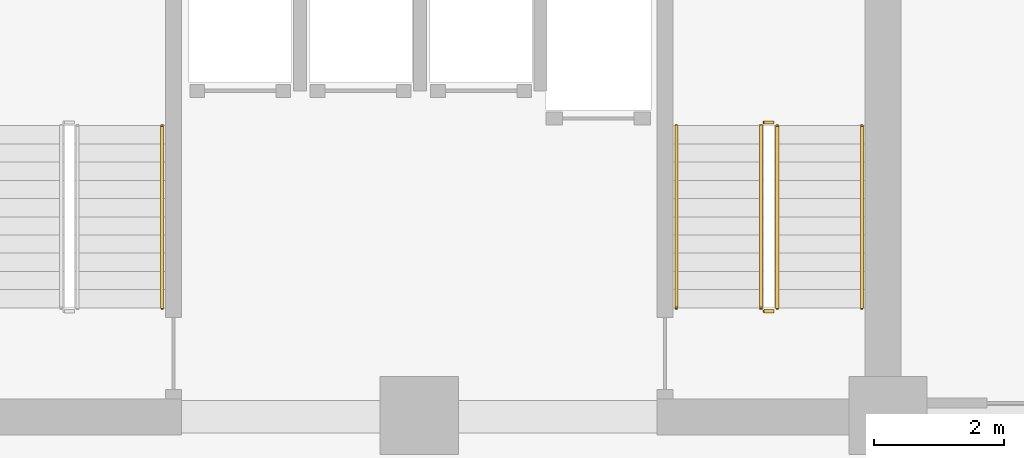
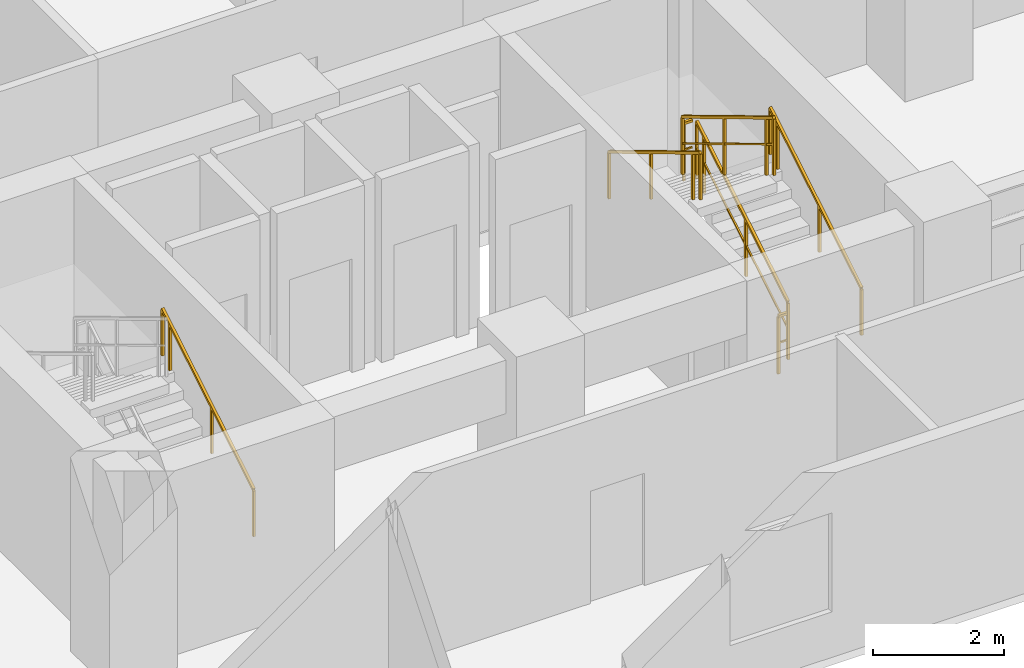
# One storey, part 10 of 11: 7 railings.
"""IFC4 building model written with IfcOpenShell, lengths in metres."""

from ifc_helpers import new_model, si_unit, direction, frame, origin, origin_2d, place, context, subcontext, project, spatial, rectangle, extrude, material, type_object, element, save


model = new_model("IFC4")

# Units and contexts
model_context = context("Model", 3, precision=1e-05, world=origin(), true_north=direction((0.0, 1.0)))
body_context = subcontext(model_context, "Body", "Model", "MODEL_VIEW")
ifc_project = project(units=[si_unit("LENGTHUNIT", "METRE"), si_unit("AREAUNIT", "SQUARE_METRE"), si_unit("VOLUMEUNIT", "CUBIC_METRE"), si_unit("PLANEANGLEUNIT", "RADIAN"), si_unit("MASSUNIT", "GRAM", prefix="KILO")], contexts=[model_context])

# Site, building, storey
site_placement = place(None, origin())
site = spatial("IfcSite", under=ifc_project, at=site_placement, CompositionType="ELEMENT")
building_placement = place(site_placement, origin())
building = spatial("IfcBuilding", under=site, at=building_placement, Name="Kaliganga Portal Commons", CompositionType="ELEMENT")
storey_placement = place(building_placement, frame((0.0, 0.0, 100.800048828125)))
storey = spatial("IfcBuildingStorey", under=building, at=storey_placement, Name="L25", CompositionType="ELEMENT", Elevation=100.800048828125)

# Railings
ifc_material_1 = material(Name="Galvanized Painted Steel Balustrade", Category="steel")
railing_type_1 = type_object("IfcRailingType", Name="RLG-STAIR-GRD", PredefinedType="GUARDRAIL", material=ifc_material_1)
railing_1_placement = place(storey_placement, frame((48.699951171875, 8.699951171875, 0.168212890625)))
element("IfcRailing", 1, at=railing_1_placement, inside=storey, type_object=railing_type_1, Name="L25 ST-B2 stair guard 1", PredefinedType="GUARDRAIL", context=body_context, shape_type="SweptSolid", body=[
    extrude(rectangle(XDim=0.048095703125, YDim=0.048095703125, at=origin_2d()), frame((0.0, 0.0, 1.072021484375), z_axis=(0.0, 0.857275202839, 0.514858452973), x_axis=(-1.0, 0.0, 0.0)), (0.0, 0.0, 1.0), 3.26611328125),
    extrude(rectangle(XDim=0.028076171875, YDim=0.028076171875, at=origin_2d()), frame((0.0, 0.0, 0.572021484375), z_axis=(0.0, 0.857275202839, 0.514858452973), x_axis=(-1.0, 0.0, 0.0)), (0.0, 0.0, 1.0), 3.26611328125),
    extrude(rectangle(XDim=0.0419921875, YDim=0.0419921875, at=origin_2d()), origin(), (0.0, 0.0, 1.0), 1.052001953125),
    extrude(rectangle(XDim=0.0419921875, YDim=0.0419921875, at=origin_2d()), frame((0.0, 1.285888671875, 0.772216796875)), (0.0, 0.0, 1.0), 1.052001953125),
    extrude(rectangle(XDim=0.0419921875, YDim=0.0419921875, at=origin_2d()), frame((0.0, 2.57177734375, 1.544677734375)), (0.0, 0.0, 1.0), 1.052001953125),
    extrude(rectangle(XDim=0.0419921875, YDim=0.0419921875, at=origin_2d()), frame((0.0, 2.800048828125, 1.681640625)), (0.0, 0.0, 1.0), 1.052001953125),
])
railing_2_placement = place(storey_placement, frame((48.64990234375, 11.550048828125, 1.849853515625)))
element("IfcRailing", 2, at=railing_2_placement, inside=storey, type_object=railing_type_1, Name="L25 ST-B2 stair guard 2", PredefinedType="GUARDRAIL", context=body_context, shape_type="SweptSolid", body=[
    extrude(rectangle(XDim=0.048095703125, YDim=0.048095703125, at=origin_2d()), frame((0.0, 0.0, 1.076171875), z_axis=(-1.0, 0.0, 0.0), x_axis=(0.0, -1.0, 0.0)), (0.0, 0.0, 1.0), 0.14990234375),
    extrude(rectangle(XDim=0.028076171875, YDim=0.028076171875, at=origin_2d()), frame((0.0, 0.0, 0.572021484375), z_axis=(-1.0, 0.0, 0.0), x_axis=(0.0, -1.0, 0.0)), (0.0, 0.0, 1.0), 0.14990234375),
    extrude(rectangle(XDim=0.0419921875, YDim=0.0419921875, at=origin_2d()), frame((-0.14990234375, 0.0, 0.0)), (0.0, 0.0, 1.0), 1.052001953125),
])
railing_3_placement = place(storey_placement, frame((48.449951171875, 11.5, 2.01806640625)))
element("IfcRailing", 3, at=railing_3_placement, inside=storey, type_object=railing_type_1, Name="L25 ST-B2 stair guard 3", PredefinedType="GUARDRAIL", context=body_context, shape_type="SweptSolid", body=[
    extrude(rectangle(XDim=0.048095703125, YDim=0.048095703125, at=origin_2d()), frame((0.0, 0.0, 1.072021484375), z_axis=(0.0, -0.857242210791, 0.514913383045), x_axis=(1.0, 0.0, 0.0)), (0.0, 0.0, 1.0), 3.266357421875),
    extrude(rectangle(XDim=0.028076171875, YDim=0.028076171875, at=origin_2d()), frame((0.0, 0.0, 0.572021484375), z_axis=(0.0, -0.857242210791, 0.514913383045), x_axis=(1.0, 0.0, 0.0)), (0.0, 0.0, 1.0), 3.266357421875),
    extrude(rectangle(XDim=0.0419921875, YDim=0.0419921875, at=origin_2d()), origin(), (0.0, 0.0, 1.0), 1.052001953125),
    extrude(rectangle(XDim=0.0419921875, YDim=0.0419921875, at=origin_2d()), frame((0.0, -1.285888671875, 0.7724609375)), (0.0, 0.0, 1.0), 1.052001953125),
    extrude(rectangle(XDim=0.0419921875, YDim=0.0419921875, at=origin_2d()), frame((0.0, -2.57177734375, 1.544677734375)), (0.0, 0.0, 1.0), 1.052001953125),
    extrude(rectangle(XDim=0.0419921875, YDim=0.0419921875, at=origin_2d()), frame((0.0, -2.800048828125, 1.681884765625)), (0.0, 0.0, 1.0), 1.052001953125),
])
railing_4_placement = place(storey_placement, frame((48.64990234375, 8.64990234375, 0.0)))
element("IfcRailing", 4, at=railing_4_placement, inside=storey, type_object=railing_type_1, Name="L25 ST-B2 stair guard 4", PredefinedType="GUARDRAIL", context=body_context, shape_type="SweptSolid", body=[
    extrude(rectangle(XDim=0.048095703125, YDim=0.048095703125, at=origin_2d()), frame((0.0, 0.0, 1.076171875), z_axis=(-1.0, 0.0, 0.0), x_axis=(0.0, -1.0, 0.0)), (0.0, 0.0, 1.0), 0.14990234375),
    extrude(rectangle(XDim=0.028076171875, YDim=0.028076171875, at=origin_2d()), frame((0.0, 0.0, 0.572021484375), z_axis=(-1.0, 0.0, 0.0), x_axis=(0.0, -1.0, 0.0)), (0.0, 0.0, 1.0), 0.14990234375),
    extrude(rectangle(XDim=0.0419921875, YDim=0.0419921875, at=origin_2d()), frame((-0.14990234375, 0.0, 0.0)), (0.0, 0.0, 1.0), 1.052001953125),
])
ifc_material_2 = material(Name="Brushed Stainless Steel 316", Category="steel")
railing_type_2 = type_object("IfcRailingType", Name="RLG-STAIR-HR", PredefinedType="HANDRAIL", material=ifc_material_2)
for number, where, name in (
    (5, (39.25, 8.699951171875, 0.168212890625), "L25 ST-B1 stair handrail 1"),
    (6, (50.0, 8.699951171875, 0.168212890625), "L25 ST-B2 stair handrail 1"),
):
    element("IfcRailing", number, at=place(storey_placement, frame(where)), inside=storey, type_object=railing_type_2, Name=name, PredefinedType="HANDRAIL", context=body_context, shape_type="SweptSolid", body=[
        extrude(rectangle(XDim=0.048095703125, YDim=0.048095703125, at=origin_2d()), frame((0.0, 0.0, 0.871826171875), z_axis=(0.0, 0.857275202839, 0.514858452973), x_axis=(-1.0, 0.0, 0.0)), (0.0, 0.0, 1.0), 3.26611328125),
        extrude(rectangle(XDim=0.0419921875, YDim=0.0419921875, at=origin_2d()), origin(), (0.0, 0.0, 1.0), 0.851806640625),
        extrude(rectangle(XDim=0.0419921875, YDim=0.0419921875, at=origin_2d()), frame((0.0, 1.285888671875, 0.772216796875)), (0.0, 0.0, 1.0), 0.851806640625),
        extrude(rectangle(XDim=0.0419921875, YDim=0.0419921875, at=origin_2d()), frame((0.0, 2.57177734375, 1.544677734375)), (0.0, 0.0, 1.0), 0.851806640625),
        extrude(rectangle(XDim=0.0419921875, YDim=0.0419921875, at=origin_2d()), frame((0.0, 2.800048828125, 1.681640625)), (0.0, 0.0, 1.0), 0.851806640625),
    ])
railing_5_placement = place(storey_placement, frame((47.14990234375, 11.5, 2.01806640625)))
element("IfcRailing", 7, at=railing_5_placement, inside=storey, type_object=railing_type_2, Name="L25 ST-B2 stair handrail 2", PredefinedType="HANDRAIL", context=body_context, shape_type="SweptSolid", body=[
    extrude(rectangle(XDim=0.048095703125, YDim=0.048095703125, at=origin_2d()), frame((0.0, 0.0, 0.871826171875), z_axis=(0.0, -0.857242210791, 0.514913383045), x_axis=(1.0, 0.0, 0.0)), (0.0, 0.0, 1.0), 3.266357421875),
    extrude(rectangle(XDim=0.0419921875, YDim=0.0419921875, at=origin_2d()), origin(), (0.0, 0.0, 1.0), 0.851806640625),
    extrude(rectangle(XDim=0.0419921875, YDim=0.0419921875, at=origin_2d()), frame((0.0, -1.285888671875, 0.7724609375)), (0.0, 0.0, 1.0), 0.851806640625),
    extrude(rectangle(XDim=0.0419921875, YDim=0.0419921875, at=origin_2d()), frame((0.0, -2.57177734375, 1.544677734375)), (0.0, 0.0, 1.0), 0.851806640625),
    extrude(rectangle(XDim=0.0419921875, YDim=0.0419921875, at=origin_2d()), frame((0.0, -2.800048828125, 1.681884765625)), (0.0, 0.0, 1.0), 0.851806640625),
])

save(model, "model.ifc")
